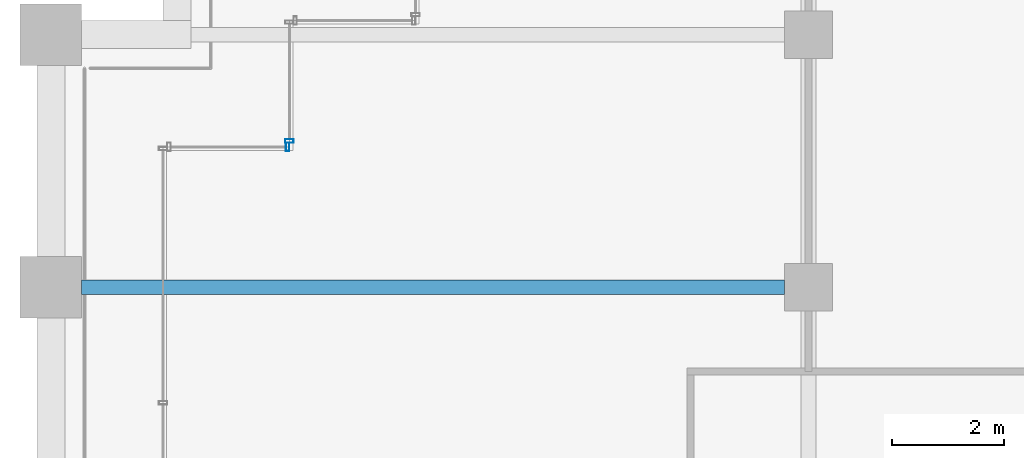
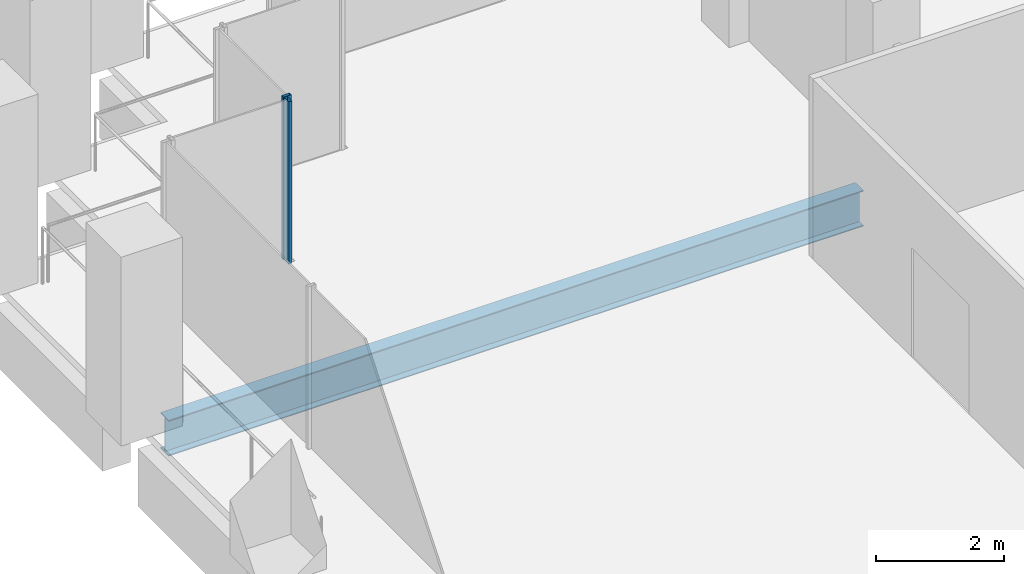
# One storey, part 24 of 54: 2 members, 1 beam, 2 elements without a shape of their own.
"""IFC4 building model written with IfcOpenShell, lengths in metres."""

from ifc_helpers import new_model, si_unit, direction, frame, origin, origin_2d, place, context, subcontext, project, spatial, hollow_rectangle, i_section, extrude, material, material_profile, profile_set, type_object, element, aggregate, save


model = new_model("IFC4")

# Units and contexts
model_context = context("Model", 3, precision=1e-05, world=origin(), true_north=direction((0.0, 1.0)))
body_context = subcontext(model_context, "Body", "Model", "MODEL_VIEW")
ifc_project = project(units=[si_unit("LENGTHUNIT", "METRE"), si_unit("AREAUNIT", "SQUARE_METRE"), si_unit("VOLUMEUNIT", "CUBIC_METRE"), si_unit("PLANEANGLEUNIT", "RADIAN"), si_unit("MASSUNIT", "GRAM", prefix="KILO")], contexts=[model_context])

# Site, building, storey
site_placement = place(None, origin())
site = spatial("IfcSite", under=ifc_project, at=site_placement, CompositionType="ELEMENT")
building_placement = place(site_placement, origin())
building = spatial("IfcBuilding", under=site, at=building_placement, Name="Altepetl Exchange Towers", CompositionType="ELEMENT")
storey_placement = place(building_placement, frame((0.0, 0.0, 58.199951171875)))
storey = spatial("IfcBuildingStorey", under=building, at=storey_placement, Name="L13", CompositionType="ELEMENT", Elevation=58.199951171875)

# Beam
ifc_material_1 = material(Name="Steel S355", Category="steel")
ifc_material_profile_1 = material_profile(ifc_material_1, i_section(OverallWidth=0.25390625, OverallDepth=0.68408203125, WebThickness=0.012451171875, FlangeThickness=0.018798828125, at=origin_2d()), Name="W27X94")
ifc_profile_set_1 = profile_set([ifc_material_profile_1], Name="Steel S355")
beam_type = type_object("IfcBeamType", Name="Floor beam W27X94", PredefinedType="BEAM", material=ifc_profile_set_1)
beam_placement = place(storey_placement, frame((27.550048828125, 63.0, -0.491943359375), z_axis=(1.0, 0.0, 0.0), x_axis=(0.0, 1.0, 0.0)))
element("IfcBeam", 1, at=beam_placement, inside=storey, type_object=beam_type, Name="bm:A:L13:022", PredefinedType="BEAM", context=body_context, shape_type="SweptSolid", body=[
    extrude(i_section(OverallWidth=0.25390625, OverallDepth=0.68408203125, WebThickness=0.012451171875, FlangeThickness=0.018798828125, at=origin_2d()), origin(), (0.0, 0.0, 1.0), 12.52490234375),
])

# Curtain wall, member
ifc_material_2 = material(Name="Aluminium 6063-T6 glazing", Category="aluminium")
curtain_wall_type = type_object("IfcCurtainWallType", Name="Loggia glazing system", PredefinedType="NOTDEFINED", material=ifc_material_2)
curtain_wall_1_placement = place(storey_placement, origin())
curtain_wall_1 = element("IfcCurtainWall", 2, at=curtain_wall_1_placement, inside=storey, type_object=curtain_wall_type, Name="CW1 run", PredefinedType="NOTDEFINED")
ifc_material_3 = material(Name="Aluminium 6063-T6", Category="aluminium")
ifc_material_profile_2 = material_profile(ifc_material_3, hollow_rectangle(XDim=0.06005859375, YDim=0.14990234375, WallThickness=0.0029296875, at=origin_2d()), Name="Mullion 60x150 aluminium")
ifc_profile_set_2 = profile_set([ifc_material_profile_2], Name="Aluminium 6063-T6")
member_type = type_object("IfcMemberType", Name="Mullion 60x150 aluminium", PredefinedType="MULLION", material=ifc_profile_set_2)
member_1_placement = place(storey_placement, frame((31.219970703125, 65.5, 0.0), z_axis=(0.0, 0.0, 1.0), x_axis=(-1.0, 0.0, 0.0)))
member_1 = element("IfcMember", 3, at=member_1_placement, type_object=member_type, Name="MU1 mullion", PredefinedType="MULLION", context=body_context, shape_type="SweptSolid", body=[
    extrude(hollow_rectangle(XDim=0.06005859375, YDim=0.14990234375, WallThickness=0.0029296875, at=origin_2d()), origin(), (0.0, 0.0, 1.0), 3.10009765625),
])
aggregate(curtain_wall_1, [member_1])

curtain_wall_2_placement = place(storey_placement, origin())
curtain_wall_2 = element("IfcCurtainWall", 4, at=curtain_wall_2_placement, inside=storey, type_object=curtain_wall_type, Name="CW1 run", PredefinedType="NOTDEFINED")
member_2_placement = place(storey_placement, frame((31.25, 65.60498046875, 0.0), z_axis=(0.0, 0.0, 1.0), x_axis=(0.0, -1.0, 0.0)))
member_2 = element("IfcMember", 5, at=member_2_placement, type_object=member_type, Name="MU1 mullion", PredefinedType="MULLION", context=body_context, shape_type="SweptSolid", body=[
    extrude(hollow_rectangle(XDim=0.06005859375, YDim=0.14990234375, WallThickness=0.0029296875, at=origin_2d()), origin(), (0.0, 0.0, 1.0), 3.10009765625),
])
aggregate(curtain_wall_2, [member_2])

save(model, "model.ifc")
